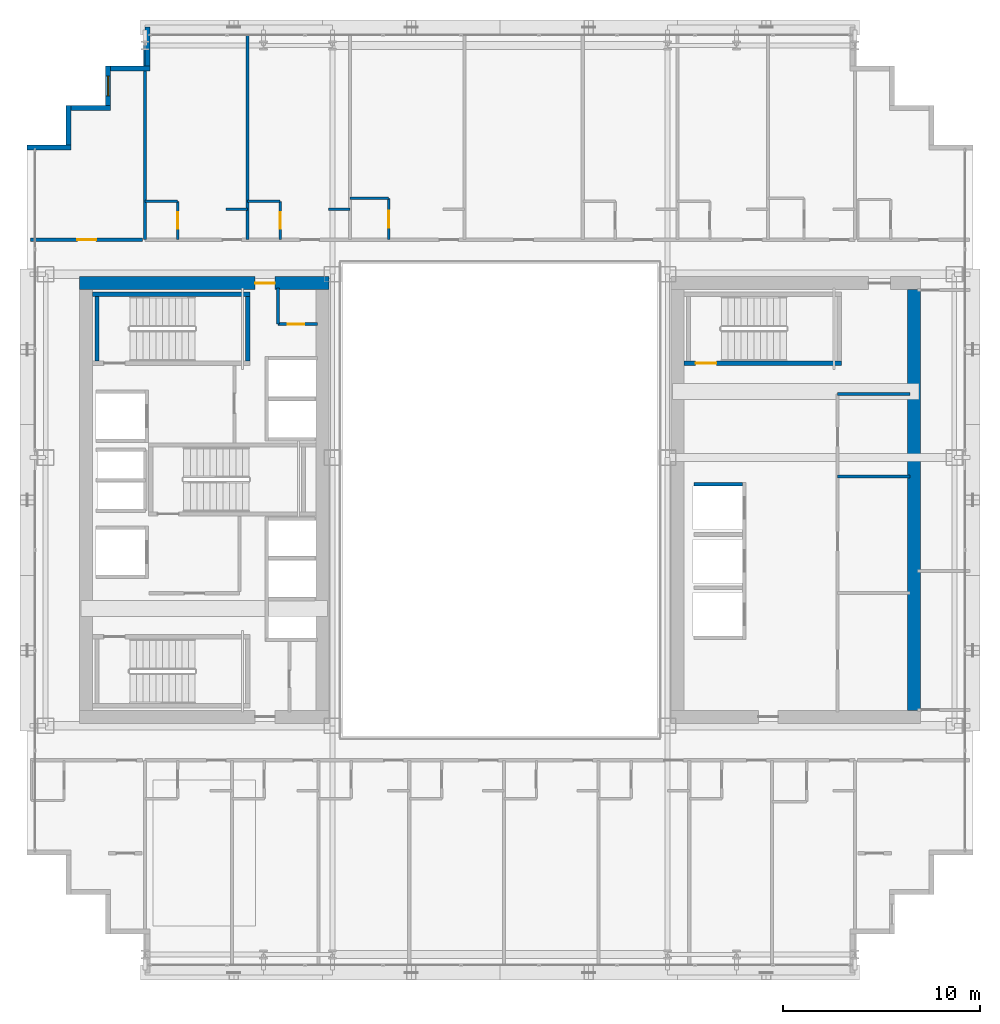
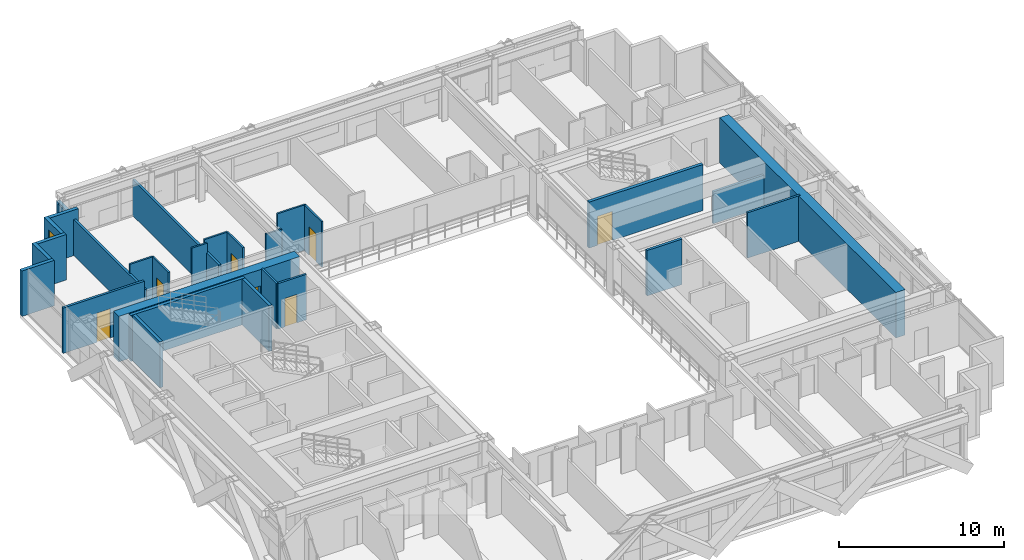
# One storey, part 30 of 36: 28 walls, 7 doors, 1 window, 8 openings.
"""IFC4 building model written with IfcOpenShell, lengths in metres."""

from ifc_helpers import new_model, si_unit, direction, frame, frame_2d, origin, place, context, subcontext, project, spatial, rectangle, extrude, source, transform, mapped, material, layer, layer_set, type_object, element, fill, save


model = new_model("IFC4")

# Units and contexts
model_context = context("Model", 3, precision=1e-05, world=origin(), true_north=direction((0.0, 1.0)))
body_context = subcontext(model_context, "Body", "Model", "MODEL_VIEW")
ifc_project = project(units=[si_unit("LENGTHUNIT", "METRE"), si_unit("AREAUNIT", "SQUARE_METRE"), si_unit("VOLUMEUNIT", "CUBIC_METRE"), si_unit("PLANEANGLEUNIT", "RADIAN"), si_unit("MASSUNIT", "GRAM", prefix="KILO")], contexts=[model_context])

# Site, building, storey
site_placement = place(None, origin())
site = spatial("IfcSite", under=ifc_project, at=site_placement, CompositionType="ELEMENT")
building_placement = place(site_placement, origin())
building = spatial("IfcBuilding", under=site, at=building_placement, Name="Ocotamira Hotel", CompositionType="ELEMENT")
storey_placement = place(building_placement, frame((0.0, 0.0, 97.199951171875)))
storey = spatial("IfcBuildingStorey", under=building, at=storey_placement, Name="L23", CompositionType="ELEMENT", Elevation=97.199951171875)

# Wall, opening, door
ifc_material_1 = material(Name="Concrete C60/75", Category="concrete")
ifc_layer_1 = layer(ifc_material_1, 0.64990234375)
ifc_layer_set_1 = layer_set([ifc_layer_1], Name="Concrete C60/75")
wall_type_1 = type_object("IfcWallType", Name="WL-CORE-650", PredefinedType="SHEAR", material=ifc_layer_set_1)
wall_1_placement = place(storey_placement, frame((10.675048828125, 37.0, 0.0), z_axis=(0.0, 0.0, 1.0), x_axis=(1.0, 0.0, 0.0)))
wall_1 = element("IfcWall", 1, at=wall_1_placement, inside=storey, type_object=wall_type_1, Name="L23 Shear Core Wall WCORE-N", PredefinedType="SHEAR", context=body_context, shape_type="SweptSolid", body=[
    extrude(rectangle(XDim=12.64990234375, YDim=0.64990234375, at=frame_2d((6.324951171875, 0.0))), origin(), (0.0, 0.0, 1.0), 3.360107421875),
])
opening_1_placement = place(wall_1_placement, frame((8.905029296875, 0.0, 0.0)))
opening_1 = element("IfcOpeningElement", 2, at=opening_1_placement, cuts=wall_1, Name="Opening D-FR2", PredefinedType="OPENING", context=body_context, shape_type="SweptSolid", body=[
    extrude(rectangle(XDim=1.0, YDim=2.14990234375, at=frame_2d((0.5, 1.074951171875))), frame((0.0, 0.3349609375, 0.0), z_axis=(0.0, -1.0, 0.0), x_axis=(1.0, 0.0, 0.0)), (0.0, 0.0, 1.0), 0.669921875),
])
ifc_material_2 = material(Name="Fire-rated acoustic timber-veneer door", Category="wood")
door_type_1 = type_object("IfcDoorType", Name="DR-FIRE-1000", OperationType="NOTDEFINED", PredefinedType="DOOR", material=ifc_material_2)
shared_shape_1 = source(origin(), body_context, "Body", "SweptSolid", [
    extrude(rectangle(XDim=1.0, YDim=2.14990234375, at=frame_2d((0.5, 1.074951171875))), frame((0.0, 0.02490234375, 0.0), z_axis=(0.0, -1.0, 0.0), x_axis=(1.0, 0.0, 0.0)), (0.0, 0.0, 1.0), 0.050048828125),
])
door_1_placement = place(opening_1_placement, origin())
door_1 = element("IfcDoor", 3, at=door_1_placement, inside=storey, type_object=door_type_1, Name="L23 Door ID-L23-WLOB-N-D [ID-L23-WLOB-N-D]", OperationType="SINGLE_SWING_RIGHT", OverallHeight=2.14990234375, OverallWidth=1.0, PredefinedType="DOOR", context=body_context, shape_type="MappedRepresentation", body=[
    mapped(shared_shape_1, transform((0.0, 0.0, 0.0), scale=1.0)),
])
fill(opening_1, door_1)

# Walls
wall_2_placement = place(storey_placement, frame((53.0, 15.324951171875, 0.0), z_axis=(0.0, 0.0, 1.0), x_axis=(0.0, 1.0, 0.0)))
element("IfcWall", 4, at=wall_2_placement, inside=storey, type_object=wall_type_1, Name="L23 Shear Core Wall ECORE-E", PredefinedType="SHEAR", context=body_context, shape_type="SweptSolid", body=[
    extrude(rectangle(XDim=21.35009765625, YDim=0.64990234375, at=frame_2d((10.675048828125, 0.0))), origin(), (0.0, 0.0, 1.0), 3.360107421875),
])
ifc_material_3 = material(Name="Precast concrete C45/55", Category="concrete")
ifc_layer_2 = layer(ifc_material_3, 0.25)
ifc_layer_set_2 = layer_set([ifc_layer_2], Name="Precast concrete C45/55")
wall_type_2 = type_object("IfcWallType", Name="WL-EXT-SER-250", PredefinedType="SOLIDWALL", material=ifc_layer_set_2)
wall_3_placement = place(storey_placement, frame((14.125, 50.0, 0.0), z_axis=(0.0, 0.0, 1.0), x_axis=(0.0, -1.0, 0.0)))
element("IfcWall", 5, at=wall_3_placement, inside=storey, type_object=wall_type_2, Name="L23 Serrated Corner Wall 13", PredefinedType="SOLIDWALL", context=body_context, shape_type="SweptSolid", body=[
    extrude(rectangle(XDim=2.0, YDim=0.25, at=frame_2d((1.0, 0.0))), origin(), (0.0, 0.0, 1.0), 2.6669921875),
])
wall_4_placement = place(storey_placement, frame((14.25, 47.875, 0.0), z_axis=(0.0, 0.0, 1.0), x_axis=(-1.0, 0.0, 0.0)))
element("IfcWall", 6, at=wall_4_placement, inside=storey, type_object=wall_type_2, Name="L23 Serrated Corner Wall 14", PredefinedType="SOLIDWALL", context=body_context, shape_type="SweptSolid", body=[
    extrude(rectangle(XDim=2.0, YDim=0.25, at=frame_2d((1.0, 0.0))), origin(), (0.0, 0.0, 1.0), 3.360107421875),
])

# Wall, opening, window
wall_5_placement = place(storey_placement, frame((12.125, 48.0, 0.0), z_axis=(0.0, 0.0, 1.0), x_axis=(0.0, -1.0, 0.0)))
wall_5 = element("IfcWall", 7, at=wall_5_placement, inside=storey, type_object=wall_type_2, Name="L23 Serrated Corner Wall 15", PredefinedType="SOLIDWALL", context=body_context, shape_type="SweptSolid", body=[
    extrude(rectangle(XDim=2.0, YDim=0.25, at=frame_2d((1.0, 0.0))), origin(), (0.0, 0.0, 1.0), 3.360107421875),
])
opening_2_placement = place(wall_5_placement, frame((0.5, 0.0, 0.85009765625)))
opening_2 = element("IfcOpeningElement", 8, at=opening_2_placement, cuts=wall_5, Name="Opening WN-2", PredefinedType="OPENING", context=body_context, shape_type="SweptSolid", body=[
    extrude(rectangle(XDim=1.0, YDim=1.89990234375, at=frame_2d((0.5, 0.949951171875))), frame((0.0, 0.135009765625, 0.0), z_axis=(0.0, -1.0, 0.0), x_axis=(1.0, 0.0, 0.0)), (0.0, 0.0, 1.0), 0.27001953125),
])
ifc_material_4 = material(Name="Double-silver low-E solar glass", Category="glass")
window_type = type_object("IfcWindowType", Name="WIN-SER-1100", PartitioningType="SINGLE_PANEL", PredefinedType="WINDOW", material=ifc_material_4)
shared_shape_2 = source(origin(), body_context, "Body", "SweptSolid", [
    extrude(rectangle(XDim=1.0, YDim=1.89990234375, at=frame_2d((0.5, 0.949951171875))), frame((0.0, 0.030029296875, 0.0), z_axis=(0.0, -1.0, 0.0), x_axis=(1.0, 0.0, 0.0)), (0.0, 0.0, 1.0), 0.06005859375),
])
window_placement = place(opening_2_placement, origin())
window = element("IfcWindow", 9, at=window_placement, inside=storey, type_object=window_type, Name="L23 Serrated Corner Window 15", OverallHeight=1.89990234375, OverallWidth=1.0, PartitioningType="SINGLE_PANEL", PredefinedType="WINDOW", context=body_context, shape_type="MappedRepresentation", body=[
    mapped(shared_shape_2, transform((0.0, 0.0, 0.0), scale=1.0)),
])
fill(opening_2, window)

# Walls
for number, where, z_axis, x_axis, name in (
    (10, (12.25, 45.875, 0.0), (0.0, 0.0, 1.0), (-1.0, 0.0, 0.0), "L23 Serrated Corner Wall 16"),
    (11, (10.125, 46.0, 0.0), (0.0, 0.0, 1.0), (0.0, -1.0, 0.0), "L23 Serrated Corner Wall 17"),
):
    element("IfcWall", number, at=place(storey_placement, frame(where, z_axis=z_axis, x_axis=x_axis)), inside=storey, type_object=wall_type_2, Name=name, PredefinedType="SOLIDWALL", context=body_context, shape_type="SweptSolid", body=[
        extrude(rectangle(XDim=2.0, YDim=0.25, at=frame_2d((1.0, 0.0))), origin(), (0.0, 0.0, 1.0), 3.360107421875),
    ])
wall_6_placement = place(storey_placement, frame((10.25, 43.875, 0.0), z_axis=(0.0, 0.0, 1.0), x_axis=(-1.0, 0.0, 0.0)))
element("IfcWall", 12, at=wall_6_placement, inside=storey, type_object=wall_type_2, Name="L23 Serrated Corner Wall 18", PredefinedType="SOLIDWALL", context=body_context, shape_type="SweptSolid", body=[
    extrude(rectangle(XDim=2.25, YDim=0.25, at=frame_2d((1.125, 0.0))), origin(), (0.0, 0.0, 1.0), 3.360107421875),
])
ifc_material_5 = material(Name="Acoustic double-layer fire gypsum board partition", Category="gypsum")
ifc_layer_3 = layer(ifc_material_5, 0.159912109375)
ifc_layer_set_3 = layer_set([ifc_layer_3], Name="Acoustic double-layer fire gypsum board partition")
wall_type_3 = type_object("IfcWallType", Name="WL-FIRE-160", PredefinedType="PARTITIONING", material=ifc_layer_set_3)
wall_7_placement = place(storey_placement, frame((49.1201171875, 31.3798828125, 0.0), z_axis=(0.0, 0.0, 1.0), x_axis=(1.0, 0.0, 0.0)))
element("IfcWall", 13, at=wall_7_placement, inside=storey, type_object=wall_type_3, Name="L23 Interior Wall PW-L23-EC-FLOW-N", PredefinedType="PARTITIONING", context=body_context, shape_type="SweptSolid", body=[
    extrude(rectangle(XDim=3.679931640625, YDim=0.159912109375, at=frame_2d((1.83984375, 0.0))), origin(), (0.0, 0.0, 1.0), 2.360107421875),
])

# Wall, opening, door
wall_8_placement = place(storey_placement, frame((8.199951171875, 39.199951171875, 0.0), z_axis=(0.0, 0.0, 1.0), x_axis=(1.0, 0.0, 0.0)))
wall_8 = element("IfcWall", 14, at=wall_8_placement, inside=storey, type_object=wall_type_3, Name="L23 Interior Wall PW-L23-Z2A-CNW-CW", PredefinedType="PARTITIONING", context=body_context, shape_type="SweptSolid", body=[
    extrude(rectangle(XDim=5.679931640625, YDim=0.159912109375, at=frame_2d((2.83984375, 0.0))), origin(), (0.0, 0.0, 1.0), 3.360107421875),
])
opening_3_placement = place(wall_8_placement, frame((2.360107421875, 0.0, 0.0)))
opening_3 = element("IfcOpeningElement", 15, at=opening_3_placement, cuts=wall_8, Name="Opening D-SV4", PredefinedType="OPENING", context=body_context, shape_type="SweptSolid", body=[
    extrude(rectangle(XDim=0.9599609375, YDim=2.14990234375, at=frame_2d((0.47998046875, 1.074951171875))), frame((0.0, 0.08984375, 0.0), z_axis=(0.0, -1.0, 0.0), x_axis=(1.0, 0.0, 0.0)), (0.0, 0.0, 1.0), 0.179931640625),
])
ifc_material_6 = material(Name="Fire-rated accessible walnut salon door", Category="wood")
door_type_2 = type_object("IfcDoorType", Name="DR-SERV-960", OperationType="NOTDEFINED", PredefinedType="DOOR", material=ifc_material_6)
shared_shape_3 = source(origin(), body_context, "Body", "SweptSolid", [
    extrude(rectangle(XDim=0.9599609375, YDim=2.14990234375, at=frame_2d((0.47998046875, 1.074951171875))), frame((0.0, 0.02490234375, 0.0), z_axis=(0.0, -1.0, 0.0), x_axis=(1.0, 0.0, 0.0)), (0.0, 0.0, 1.0), 0.050048828125),
])
door_2_placement = place(opening_3_placement, origin())
door_2 = element("IfcDoor", 16, at=door_2_placement, inside=storey, type_object=door_type_2, Name="L23 Door ID-L23-Z2A-CNW-CD [ID-L23-Z2A-CNW-CD]", OperationType="SINGLE_SWING_LEFT", OverallHeight=2.14990234375, OverallWidth=0.9599609375, PredefinedType="DOOR", context=body_context, shape_type="MappedRepresentation", body=[
    mapped(shared_shape_3, transform((0.0, 0.0, 0.0), scale=1.0)),
])
fill(opening_3, door_2)

ifc_material_7 = material(Name="Moisture-resistant en-suite tile and gypsum partition", Category="gypsum")
ifc_layer_4 = layer(ifc_material_7, 0.1201171875)
ifc_layer_set_4 = layer_set([ifc_layer_4], Name="Moisture-resistant en-suite tile and gypsum partition")
wall_type_4 = type_object("IfcWallType", Name="WL-PART-120", PredefinedType="PARTITIONING", material=ifc_layer_set_4)
wall_9_placement = place(storey_placement, frame((15.64990234375, 39.199951171875, 0.0), z_axis=(0.0, 0.0, 1.0), x_axis=(0.0, 1.0, 0.0)))
wall_9 = element("IfcWall", 17, at=wall_9_placement, inside=storey, type_object=wall_type_4, Name="L23 Interior Wall PW-L23-Z2AN-BAE1", PredefinedType="PARTITIONING", context=body_context, shape_type="SweptSolid", body=[
    extrude(rectangle(XDim=1.949951171875, YDim=0.1201171875, at=frame_2d((0.97509765625, 0.0))), origin(), (0.0, 0.0, 1.0), 3.360107421875),
])
opening_4_placement = place(wall_9_placement, frame((0.544921875, 0.0, 0.0)))
opening_4 = element("IfcOpeningElement", 18, at=opening_4_placement, cuts=wall_9, Name="Opening D-BA1", PredefinedType="OPENING", context=body_context, shape_type="SweptSolid", body=[
    extrude(rectangle(XDim=0.860107421875, YDim=2.10009765625, at=frame_2d((0.43017578125, 1.050048828125))), frame((0.0, 0.070068359375, 0.0), z_axis=(0.0, -1.0, 0.0), x_axis=(1.0, 0.0, 0.0)), (0.0, 0.0, 1.0), 0.14013671875),
])
ifc_material_8 = material(Name="Moisture-sealed en-suite timber door", Category="wood")
door_type_3 = type_object("IfcDoorType", Name="DR-BATH-860", OperationType="NOTDEFINED", PredefinedType="DOOR", material=ifc_material_8)
shared_shape_4 = source(origin(), body_context, "Body", "SweptSolid", [
    extrude(rectangle(XDim=0.860107421875, YDim=2.10009765625, at=frame_2d((0.43017578125, 1.050048828125))), frame((0.0, 0.02490234375, 0.0), z_axis=(0.0, -1.0, 0.0), x_axis=(1.0, 0.0, 0.0)), (0.0, 0.0, 1.0), 0.050048828125),
])
door_3_placement = place(opening_4_placement, origin())
door_3 = element("IfcDoor", 19, at=door_3_placement, inside=storey, type_object=door_type_3, Name="L23 Door ID-L23-Z2AN-BAD1 [ID-L23-Z2AN-BAD1]", OperationType="SINGLE_SWING_RIGHT", OverallHeight=2.10009765625, OverallWidth=0.860107421875, PredefinedType="DOOR", context=body_context, shape_type="MappedRepresentation", body=[
    mapped(shared_shape_4, transform((0.0, 0.0, 0.0), scale=1.0)),
])
fill(opening_4, door_3)

# Walls
wall_10_placement = place(storey_placement, frame((14.0, 41.14990234375, 0.0), z_axis=(0.0, 0.0, 1.0), x_axis=(1.0, 0.0, 0.0)))
element("IfcWall", 20, at=wall_10_placement, inside=storey, type_object=wall_type_4, Name="L23 Interior Wall PW-L23-Z2AN-BAN1", PredefinedType="PARTITIONING", context=body_context, shape_type="SweptSolid", body=[
    extrude(rectangle(XDim=1.64990234375, YDim=0.1201171875, at=frame_2d((0.824951171875, 0.0))), origin(), (0.0, 0.0, 1.0), 3.360107421875),
])
wall_11_placement = place(storey_placement, frame((18.10009765625, 40.75, 0.0), z_axis=(0.0, 0.0, 1.0), x_axis=(1.0, 0.0, 0.0)))
element("IfcWall", 21, at=wall_11_placement, inside=storey, type_object=wall_type_4, Name="L23 Interior Wall PW-L23-Z2AN-DRN1", PredefinedType="PARTITIONING", context=body_context, shape_type="SweptSolid", body=[
    extrude(rectangle(XDim=1.099853515625, YDim=0.1201171875, at=frame_2d((0.5498046875, 0.0))), origin(), (0.0, 0.0, 1.0), 3.360107421875),
])

# Wall, opening, door
wall_12_placement = place(storey_placement, frame((20.85009765625, 39.199951171875, 0.0), z_axis=(0.0, 0.0, 1.0), x_axis=(0.0, 1.0, 0.0)))
wall_12 = element("IfcWall", 22, at=wall_12_placement, inside=storey, type_object=wall_type_4, Name="L23 Interior Wall PW-L23-Z2AN-BAE2", PredefinedType="PARTITIONING", context=body_context, shape_type="SweptSolid", body=[
    extrude(rectangle(XDim=1.949951171875, YDim=0.1201171875, at=frame_2d((0.97509765625, 0.0))), origin(), (0.0, 0.0, 1.0), 3.360107421875),
])
opening_5_placement = place(wall_12_placement, frame((0.544921875, 0.0, 0.0)))
opening_5 = element("IfcOpeningElement", 23, at=opening_5_placement, cuts=wall_12, Name="Opening D-BA1", PredefinedType="OPENING", context=body_context, shape_type="SweptSolid", body=[
    extrude(rectangle(XDim=0.860107421875, YDim=2.10009765625, at=frame_2d((0.43017578125, 1.050048828125))), frame((0.0, 0.070068359375, 0.0), z_axis=(0.0, -1.0, 0.0), x_axis=(1.0, 0.0, 0.0)), (0.0, 0.0, 1.0), 0.14013671875),
])
door_4_placement = place(opening_5_placement, origin())
door_4 = element("IfcDoor", 24, at=door_4_placement, inside=storey, type_object=door_type_3, Name="L23 Door ID-L23-Z2AN-BAD2 [ID-L23-Z2AN-BAD2]", OperationType="SINGLE_SWING_LEFT", OverallHeight=2.10009765625, OverallWidth=0.860107421875, PredefinedType="DOOR", context=body_context, shape_type="MappedRepresentation", body=[
    mapped(shared_shape_4, transform((0.0, 0.0, 0.0), scale=1.0)),
])
fill(opening_5, door_4)

# Walls
wall_13_placement = place(storey_placement, frame((19.199951171875, 41.14990234375, 0.0), z_axis=(0.0, 0.0, 1.0), x_axis=(1.0, 0.0, 0.0)))
element("IfcWall", 25, at=wall_13_placement, inside=storey, type_object=wall_type_4, Name="L23 Interior Wall PW-L23-Z2AN-BAN2", PredefinedType="PARTITIONING", context=body_context, shape_type="SweptSolid", body=[
    extrude(rectangle(XDim=1.650146484375, YDim=0.1201171875, at=frame_2d((0.8251953125, 0.0))), origin(), (0.0, 0.0, 1.0), 3.360107421875),
])
wall_14_placement = place(storey_placement, frame((23.300048828125, 40.75, 0.0), z_axis=(0.0, 0.0, 1.0), x_axis=(1.0, 0.0, 0.0)))
element("IfcWall", 26, at=wall_14_placement, inside=storey, type_object=wall_type_4, Name="L23 Interior Wall PW-L23-Z2AN-DRN2", PredefinedType="PARTITIONING", context=body_context, shape_type="SweptSolid", body=[
    extrude(rectangle(XDim=1.099853515625, YDim=0.1201171875, at=frame_2d((0.5498046875, 0.0))), origin(), (0.0, 0.0, 1.0), 2.5810546875),
])

# Wall, opening, door
wall_15_placement = place(storey_placement, frame((26.35009765625, 39.199951171875, 0.0), z_axis=(0.0, 0.0, 1.0), x_axis=(0.0, 1.0, 0.0)))
wall_15 = element("IfcWall", 27, at=wall_15_placement, inside=storey, type_object=wall_type_4, Name="L23 Interior Wall PW-L23-Z2AN-BAE3", PredefinedType="PARTITIONING", context=body_context, shape_type="SweptSolid", body=[
    extrude(rectangle(XDim=2.10009765625, YDim=0.1201171875, at=frame_2d((1.050048828125, 0.0))), origin(), (0.0, 0.0, 1.0), 3.360107421875),
])
opening_6_placement = place(wall_15_placement, frame((0.6201171875, 0.0, 0.0)))
opening_6 = element("IfcOpeningElement", 28, at=opening_6_placement, cuts=wall_15, Name="Opening D-BA1", PredefinedType="OPENING", context=body_context, shape_type="SweptSolid", body=[
    extrude(rectangle(XDim=0.860107421875, YDim=2.10009765625, at=frame_2d((0.43017578125, 1.050048828125))), frame((0.0, 0.070068359375, 0.0), z_axis=(0.0, -1.0, 0.0), x_axis=(1.0, 0.0, 0.0)), (0.0, 0.0, 1.0), 0.14013671875),
])
door_5_placement = place(opening_6_placement, origin())
door_5 = element("IfcDoor", 29, at=door_5_placement, inside=storey, type_object=door_type_3, Name="L23 Door ID-L23-Z2AN-BAD3 [ID-L23-Z2AN-BAD3]", OperationType="SINGLE_SWING_RIGHT", OverallHeight=2.10009765625, OverallWidth=0.860107421875, PredefinedType="DOOR", context=body_context, shape_type="MappedRepresentation", body=[
    mapped(shared_shape_4, transform((0.0, 0.0, 0.0), scale=1.0)),
])
fill(opening_6, door_5)

# Walls
wall_16_placement = place(storey_placement, frame((24.39990234375, 41.300048828125, 0.0), z_axis=(0.0, 0.0, 1.0), x_axis=(1.0, 0.0, 0.0)))
element("IfcWall", 30, at=wall_16_placement, inside=storey, type_object=wall_type_4, Name="L23 Interior Wall PW-L23-Z2AN-BAN3", PredefinedType="PARTITIONING", context=body_context, shape_type="SweptSolid", body=[
    extrude(rectangle(XDim=1.9501953125, YDim=0.1201171875, at=frame_2d((0.97509765625, 0.0))), origin(), (0.0, 0.0, 1.0), 3.360107421875),
])
ifc_material_9 = material(Name="Acoustic hospitality gypsum board partition", Category="gypsum")
ifc_layer_5 = layer(ifc_material_9, 0.14208984375)
ifc_layer_set_5 = layer_set([ifc_layer_5], Name="Acoustic hospitality gypsum board partition")
wall_type_5 = type_object("IfcWallType", Name="WL-PART-142", PredefinedType="PARTITIONING", material=ifc_layer_set_5)
wall_17_placement = place(storey_placement, frame((20.739990234375, 34.919921875, 0.0), z_axis=(0.0, 0.0, 1.0), x_axis=(0.0, 1.0, 0.0)))
element("IfcWall", 31, at=wall_17_placement, inside=storey, type_object=wall_type_5, Name="L23 Interior Wall PW-L23-WC-NE-W1", PredefinedType="PARTITIONING", context=body_context, shape_type="SweptSolid", body=[
    extrude(rectangle(XDim=1.830078125, YDim=0.14208984375, at=frame_2d((0.9150390625, 0.0))), origin(), (0.0, 0.0, 1.0), 3.360107421875),
])

# Wall, opening, door
wall_18_placement = place(storey_placement, frame((20.739990234375, 34.919921875, 0.0), z_axis=(0.0, 0.0, 1.0), x_axis=(1.0, 0.0, 0.0)))
wall_18 = element("IfcWall", 32, at=wall_18_placement, inside=storey, type_object=wall_type_5, Name="L23 Interior Wall PW-L23-WC-NE-S1", PredefinedType="PARTITIONING", context=body_context, shape_type="SweptSolid", body=[
    extrude(rectangle(XDim=2.010009765625, YDim=0.14208984375, at=frame_2d((1.0048828125, 0.0))), origin(), (0.0, 0.0, 1.0), 3.360107421875),
])
opening_7_placement = place(wall_18_placement, frame((0.5, 0.0, 0.0)))
opening_7 = element("IfcOpeningElement", 33, at=opening_7_placement, cuts=wall_18, Name="Opening D-SV1", PredefinedType="OPENING", context=body_context, shape_type="SweptSolid", body=[
    extrude(rectangle(XDim=0.840087890625, YDim=2.10009765625, at=frame_2d((0.419921875, 1.050048828125))), frame((0.0, 0.0810546875, 0.0), z_axis=(0.0, -1.0, 0.0), x_axis=(1.0, 0.0, 0.0)), (0.0, 0.0, 1.0), 0.162109375),
])
ifc_material_10 = material(Name="Fire-rated painted steel service door", Category="steel")
door_type_4 = type_object("IfcDoorType", Name="DR-SERV-840", OperationType="NOTDEFINED", PredefinedType="DOOR", material=ifc_material_10)
shared_shape_5 = source(origin(), body_context, "Body", "SweptSolid", [
    extrude(rectangle(XDim=0.840087890625, YDim=2.10009765625, at=frame_2d((0.419921875, 1.050048828125))), frame((0.0, 0.02490234375, 0.0), z_axis=(0.0, -1.0, 0.0), x_axis=(1.0, 0.0, 0.0)), (0.0, 0.0, 1.0), 0.050048828125),
])
door_6_placement = place(opening_7_placement, origin())
door_6 = element("IfcDoor", 34, at=door_6_placement, inside=storey, type_object=door_type_4, Name="L23 Door ID-L23-WC-NE-D1 [ID-L23-WC-NE-D1]", OperationType="SINGLE_SWING_LEFT", OverallHeight=2.10009765625, OverallWidth=0.840087890625, PredefinedType="DOOR", context=body_context, shape_type="MappedRepresentation", body=[
    mapped(shared_shape_5, transform((0.0, 0.0, 0.0), scale=1.0)),
])
fill(opening_7, door_6)

# Walls
ifc_layer_6 = layer(ifc_material_9, 0.14990234375)
ifc_layer_set_6 = layer_set([ifc_layer_6], Name="Acoustic hospitality gypsum board partition")
wall_type_6 = type_object("IfcWallType", Name="WL-PART-150", PredefinedType="PARTITIONING", material=ifc_layer_set_6)
wall_19_placement = place(storey_placement, frame((49.1201171875, 27.18994140625, 0.0), z_axis=(0.0, 0.0, 1.0), x_axis=(1.0, 0.0, 0.0)))
element("IfcWall", 35, at=wall_19_placement, inside=storey, type_object=wall_type_6, Name="L23 Interior Wall PW-L23-EC-FDIV2", PredefinedType="PARTITIONING", context=body_context, shape_type="SweptSolid", body=[
    extrude(rectangle(XDim=3.679931640625, YDim=0.14990234375, at=frame_2d((1.83984375, 0.0))), origin(), (0.0, 0.0, 1.0), 3.360107421875),
])
ifc_material_11 = material(Name="Acoustic double-stud hospitality gypsum partition", Category="gypsum")
ifc_layer_7 = layer(ifc_material_11, 0.159912109375)
ifc_layer_set_7 = layer_set([ifc_layer_7], Name="Acoustic double-stud hospitality gypsum partition")
wall_type_7 = type_object("IfcWallType", Name="WL-PART-160", PredefinedType="PARTITIONING", material=ifc_layer_set_7)
for number, where, z_axis, x_axis, name in (
    (36, (14.0, 39.199951171875, 0.0), (0.0, 0.0, 1.0), (0.0, 1.0, 0.0), "L23 Interior Wall PW-L23-Z2AN-PW0"),
    (37, (19.199951171875, 39.199951171875, 0.0), (0.0, 0.0, 1.0), (0.0, 1.0, 0.0), "L23 Interior Wall PW-L23-Z2AN-PW1"),
):
    element("IfcWall", number, at=place(storey_placement, frame(where, z_axis=z_axis, x_axis=x_axis)), inside=storey, type_object=wall_type_7, Name=name, PredefinedType="PARTITIONING", context=body_context, shape_type="SweptSolid", body=[
        extrude(rectangle(XDim=10.43994140625, YDim=0.159912109375, at=frame_2d((5.219970703125, 0.0))), origin(), (0.0, 0.0, 1.0), 2.6669921875),
    ])
ifc_material_12 = material(Name="Fire-rated gypsum shaftliner board assembly", Category="gypsum")
ifc_layer_8 = layer(ifc_material_12, 0.179931640625)
ifc_layer_set_8 = layer_set([ifc_layer_8], Name="Fire-rated gypsum shaftliner board assembly")
wall_type_8 = type_object("IfcWallType", Name="WL-SHAFT-180", PredefinedType="SOLIDWALL", material=ifc_layer_set_8)
wall_20_placement = place(storey_placement, frame((41.85009765625, 26.7900390625, 0.0), z_axis=(0.0, 0.0, 1.0), x_axis=(1.0, 0.0, 0.0)))
element("IfcWall", 38, at=wall_20_placement, inside=storey, type_object=wall_type_8, Name="L23 Interior Wall PW-L23-LFW-BANK-mid-N", PredefinedType="SOLIDWALL", context=body_context, shape_type="SweptSolid", body=[
    extrude(rectangle(XDim=2.449951171875, YDim=0.179931640625, at=frame_2d((1.22509765625, 0.0))), origin(), (0.0, 0.0, 1.0), 3.360107421875),
])
ifc_material_13 = material(Name="Concrete C50/60", Category="concrete")
ifc_layer_9 = layer(ifc_material_13, 0.219970703125)
ifc_layer_set_9 = layer_set([ifc_layer_9], Name="Concrete C50/60")
wall_type_9 = type_object("IfcWallType", Name="WL-STAIR-220", PredefinedType="SHEAR", material=ifc_layer_set_9)
wall_21_placement = place(storey_placement, frame((11.324951171875, 36.43994140625, 0.0), z_axis=(0.0, 0.0, 1.0), x_axis=(1.0, 0.0, 0.0)))
element("IfcWall", 39, at=wall_21_placement, inside=storey, type_object=wall_type_9, Name="L23 Stair Shaft Structural Wall ST-2-N", PredefinedType="SHEAR", context=body_context, shape_type="SweptSolid", body=[
    extrude(rectangle(XDim=7.985107421875, YDim=0.219970703125, at=frame_2d((3.99267578125, 0.0))), origin(), (0.0, 0.0, 1.0), 3.400146484375),
])
for number, where, z_axis, x_axis, name in (
    (40, (11.56005859375, 33.050048828125, 0.0), (0.0, 0.0, 1.0), (0.0, 1.0, 0.0), "L23 Stair Shaft Structural Wall ST-2-W"),
    (41, (19.199951171875, 33.050048828125, 0.0), (0.0, 0.0, 1.0), (0.0, 1.0, 0.0), "L23 Stair Shaft Structural Wall ST-2-E"),
):
    element("IfcWall", number, at=place(storey_placement, frame(where, z_axis=z_axis, x_axis=x_axis)), inside=storey, type_object=wall_type_9, Name=name, PredefinedType="SHEAR", context=body_context, shape_type="SweptSolid", body=[
        extrude(rectangle(XDim=3.280029296875, YDim=0.219970703125, at=frame_2d((1.64013671875, 0.0))), origin(), (0.0, 0.0, 1.0), 3.400146484375),
    ])

# Wall, opening, door
wall_22_placement = place(storey_placement, frame((41.324951171875, 32.93994140625, 0.0), z_axis=(0.0, 0.0, 1.0), x_axis=(1.0, 0.0, 0.0)))
wall_22 = element("IfcWall", 42, at=wall_22_placement, inside=storey, type_object=wall_type_9, Name="L23 Stair Shaft Structural Wall ST-4-S", PredefinedType="SHEAR", context=body_context, shape_type="SweptSolid", body=[
    extrude(rectangle(XDim=7.985107421875, YDim=0.219970703125, at=frame_2d((3.99267578125, 0.0))), origin(), (0.0, 0.0, 1.0), 3.400146484375),
])
opening_8_placement = place(wall_22_placement, frame((0.594970703125, 0.0, 0.0)))
opening_8 = element("IfcOpeningElement", 43, at=opening_8_placement, cuts=wall_22, Name="Opening D-ST2", PredefinedType="OPENING", context=body_context, shape_type="SweptSolid", body=[
    extrude(rectangle(XDim=1.050048828125, YDim=2.14990234375, at=frame_2d((0.52490234375, 1.074951171875))), frame((0.0, 0.1201171875, 0.0), z_axis=(0.0, -1.0, 0.0), x_axis=(1.0, 0.0, 0.0)), (0.0, 0.0, 1.0), 0.239990234375),
])
ifc_material_14 = material(Name="Insulated painted hollow-metal fire exit door", Category="steel")
door_type_5 = type_object("IfcDoorType", Name="DR-STAIR-1050", OperationType="NOTDEFINED", PredefinedType="DOOR", material=ifc_material_14)
shared_shape_6 = source(origin(), body_context, "Body", "SweptSolid", [
    extrude(rectangle(XDim=1.050048828125, YDim=2.14990234375, at=frame_2d((0.52490234375, 1.074951171875))), frame((0.0, 0.02490234375, 0.0), z_axis=(0.0, -1.0, 0.0), x_axis=(1.0, 0.0, 0.0)), (0.0, 0.0, 1.0), 0.050048828125),
])
door_7_placement = place(opening_8_placement, origin())
door_7 = element("IfcDoor", 44, at=door_7_placement, inside=storey, type_object=door_type_5, Name="L23 Door ID-L23-STD-ST-4 [ID-L23-STD-ST-4]", OperationType="SINGLE_SWING_LEFT", OverallHeight=2.14990234375, OverallWidth=1.050048828125, PredefinedType="DOOR", context=body_context, shape_type="MappedRepresentation", body=[
    mapped(shared_shape_6, transform((0.0, 0.0, 0.0), scale=1.0)),
])
fill(opening_8, door_7)

save(model, "model.ifc")
